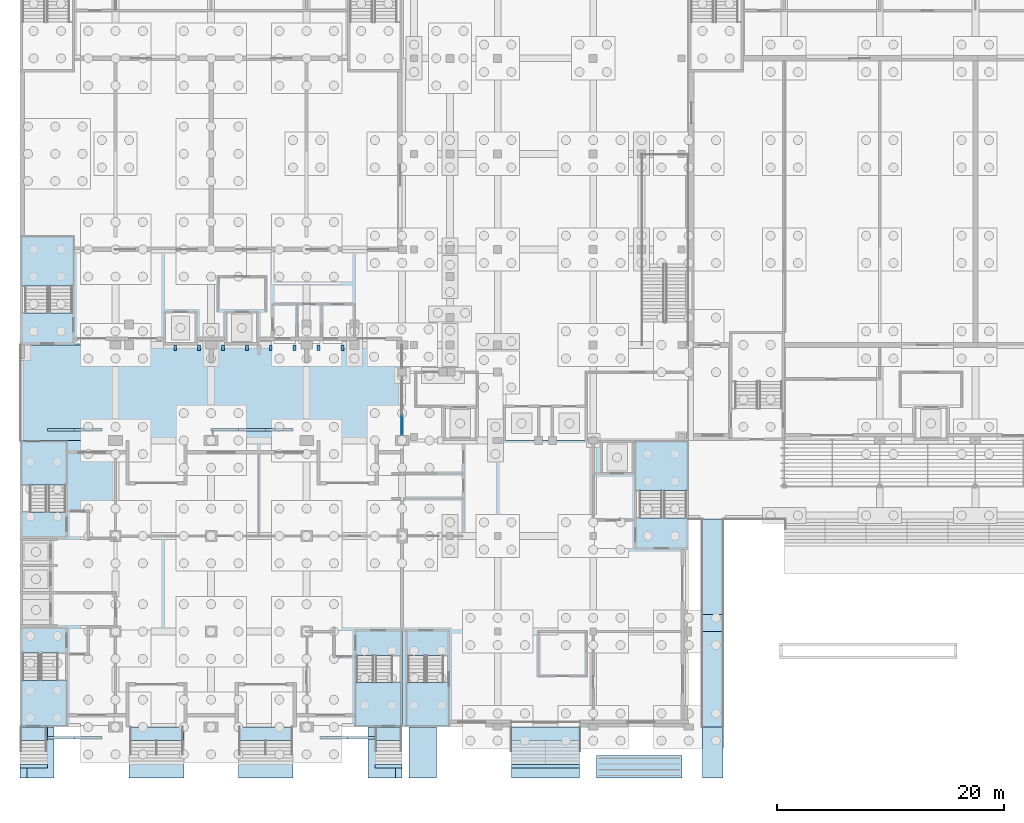
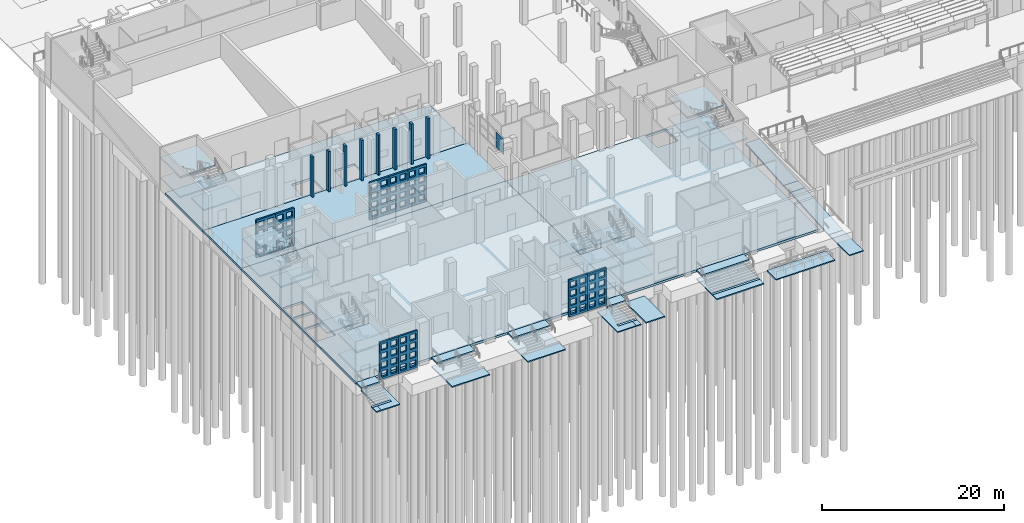
# One storey, part 35 of 129: 44 slabs, 19 plates, 7 elements without a shape of their own.
"""IFC4 building model written with IfcOpenShell, lengths in metres."""

from ifc_helpers import new_model, si_unit, direction, frame, origin, origin_2d, place, context, subcontext, project, spatial, polyline, rectangle, outline, extrude, material, layer, layer_set, type_object, element, aggregate, save


model = new_model("IFC4")

# Units and contexts
model_context = context("Model", 3, precision=1e-05, world=origin(), true_north=direction((0.0, 1.0)))
body_context = subcontext(model_context, "Body", "Model", "MODEL_VIEW")
ifc_project = project(units=[si_unit("LENGTHUNIT", "METRE"), si_unit("AREAUNIT", "SQUARE_METRE"), si_unit("VOLUMEUNIT", "CUBIC_METRE"), si_unit("PLANEANGLEUNIT", "RADIAN"), si_unit("MASSUNIT", "GRAM", prefix="KILO")], contexts=[model_context])

# Site, building, storey
site_placement = place(None, origin())
site = spatial("IfcSite", under=ifc_project, at=site_placement, CompositionType="ELEMENT")
building_placement = place(site_placement, origin())
building = spatial("IfcBuilding", under=site, at=building_placement, Name="Kiln Court Media Centre", CompositionType="ELEMENT")
storey_placement = place(building_placement, origin())
storey = spatial("IfcBuildingStorey", under=building, at=storey_placement, Name="L00", CompositionType="ELEMENT", Elevation=0.0)

# Slabs
ifc_material_1 = material(Name="Concrete C30/37", Category="concrete")
ifc_layer_1 = layer(ifc_material_1, 0.199951171875)
ifc_layer_set_1 = layer_set([ifc_layer_1], Name="Concrete C30/37 entrance landing 200")
slab_type_1 = type_object("IfcSlabType", Name="Concrete C30/37 entrance landing 200", PredefinedType="LANDING", material=ifc_layer_set_1)
slab_1_placement = place(storey_placement, frame((0.0, 0.0, -0.199951171875)))
element("IfcSlab", 1, at=slab_1_placement, inside=storey, type_object=slab_type_1, Name="EN-01 street porch landing", PredefinedType="LANDING", context=body_context, shape_type="SweptSolid", body=[
    extrude(outline(polyline([(9.60009765625, -1.199951171875), (14.39990234375, -1.199951171875), (14.39990234375, 0.0), (9.60009765625, 0.0), (9.60009765625, -1.199951171875)])), origin(), (0.0, 0.0, 1.0), 0.199951171875),
])
slab_2_placement = place(storey_placement, frame((0.0, 0.0, -0.199951171875)))
element("IfcSlab", 2, at=slab_2_placement, inside=storey, type_object=slab_type_1, Name="EN-02 street porch landing", PredefinedType="LANDING", context=body_context, shape_type="SweptSolid", body=[
    extrude(outline(polyline([(19.199951171875, -1.199951171875), (24.0, -1.199951171875), (24.0, 0.0), (19.199951171875, 0.0), (19.199951171875, -1.199951171875)])), origin(), (0.0, 0.0, 1.0), 0.199951171875),
])
ifc_material_2 = material(Name="Concrete C30/37", Category="concrete")
ifc_layer_2 = layer(ifc_material_2, 0.14990234375)
ifc_layer_set_2 = layer_set([ifc_layer_2], Name="Concrete C30/37 paving slab 150")
slab_type_2 = type_object("IfcSlabType", Name="Concrete C30/37 paving slab 150", PredefinedType="BASESLAB", material=ifc_layer_set_2)
slab_3_placement = place(storey_placement, frame((0.0, 0.0, -1.35009765625)))
element("IfcSlab", 3, at=slab_3_placement, inside=storey, type_object=slab_type_2, Name="Paving on grade 1", PredefinedType="BASESLAB", context=body_context, shape_type="SweptSolid", body=[
    extrude(outline(polyline([(0.60009765625, -3.300048828125), (2.39990234375, -3.300048828125), (2.39990234375, -3.60009765625), (0.60009765625, -3.60009765625), (0.60009765625, -4.5), (3.0, -4.5), (3.0, 0.0), (0.60009765625, 0.0), (0.60009765625, -3.300048828125)])), origin(), (0.0, 0.0, 1.0), 0.150146484375),
])
slab_4_placement = place(storey_placement, frame((0.0, 0.0, -1.35009765625)))
element("IfcSlab", 4, at=slab_4_placement, inside=storey, type_object=slab_type_2, Name="Paving on grade 2", PredefinedType="BASESLAB", context=body_context, shape_type="SweptSolid", body=[
    extrude(outline(polyline([(9.60009765625, -4.5), (14.39990234375, -4.5), (14.39990234375, 0.0), (9.60009765625, 0.0), (9.60009765625, -4.5)])), origin(), (0.0, 0.0, 1.0), 0.150146484375),
])
slab_5_placement = place(storey_placement, frame((0.0, 0.0, -1.35009765625)))
element("IfcSlab", 5, at=slab_5_placement, inside=storey, type_object=slab_type_2, Name="Paving on grade 3", PredefinedType="BASESLAB", context=body_context, shape_type="SweptSolid", body=[
    extrude(outline(polyline([(19.199951171875, -4.5), (24.0, -4.5), (24.0, 0.0), (19.199951171875, 0.0), (19.199951171875, -4.5)])), origin(), (0.0, 0.0, 1.0), 0.150146484375),
])
slab_6_placement = place(storey_placement, frame((0.0, 0.0, -1.35009765625)))
element("IfcSlab", 6, at=slab_6_placement, inside=storey, type_object=slab_type_2, Name="Paving on grade 4", PredefinedType="BASESLAB", context=body_context, shape_type="SweptSolid", body=[
    extrude(outline(polyline([(33.0, -3.60009765625), (31.199951171875, -3.60009765625), (31.199951171875, -3.300048828125), (33.0, -3.300048828125), (33.0, 0.0), (30.60009765625, 0.0), (30.60009765625, -4.5), (33.0, -4.5), (33.0, -3.60009765625)])), origin(), (0.0, 0.0, 1.0), 0.150146484375),
])
slab_7_placement = place(storey_placement, frame((0.0, 0.0, -1.35009765625)))
element("IfcSlab", 7, at=slab_7_placement, inside=storey, type_object=slab_type_2, Name="Paving on grade 5", PredefinedType="BASESLAB", context=body_context, shape_type="SweptSolid", body=[
    extrude(outline(polyline([(34.199951171875, -4.5), (36.60009765625, -4.5), (36.60009765625, 0.0), (34.199951171875, 0.0), (34.199951171875, -4.5)])), origin(), (0.0, 0.0, 1.0), 0.150146484375),
])
slab_8_placement = place(storey_placement, frame((0.0, 0.0, -1.35009765625)))
element("IfcSlab", 8, at=slab_8_placement, inside=storey, type_object=slab_type_2, Name="Paving on grade 6", PredefinedType="BASESLAB", context=body_context, shape_type="SweptSolid", body=[
    extrude(outline(polyline([(49.199951171875, -3.60009765625), (43.199951171875, -3.60009765625), (43.199951171875, -4.5), (49.199951171875, -4.5), (49.199951171875, -3.60009765625)])), origin(), (0.0, 0.0, 1.0), 0.150146484375),
])
slab_9_placement = place(storey_placement, frame((0.0, 0.0, -1.35009765625)))
element("IfcSlab", 9, at=slab_9_placement, inside=storey, type_object=slab_type_2, Name="Paving on grade 7", PredefinedType="BASESLAB", context=body_context, shape_type="SweptSolid", body=[
    extrude(outline(polyline([(50.699951171875, -4.5), (58.199951171875, -4.5), (58.199951171875, -2.5), (50.699951171875, -2.5), (50.699951171875, -4.5)])), origin(), (0.0, 0.0, 1.0), 0.150146484375),
])
slab_10_placement = place(storey_placement, frame((0.0, 0.0, -1.35009765625)))
element("IfcSlab", 10, at=slab_10_placement, inside=storey, type_object=slab_type_2, Name="Paving on grade 8", PredefinedType="BASESLAB", context=body_context, shape_type="SweptSolid", body=[
    extrude(outline(polyline([(61.800048828125, 0.0), (60.0, 0.0), (60.0, -4.5), (61.800048828125, -4.5), (61.800048828125, 0.0)])), origin(), (0.0, 0.0, 1.0), 0.150146484375),
])
slab_11_placement = place(storey_placement, frame((0.0, 0.0, -1.35009765625)))
element("IfcSlab", 11, at=slab_11_placement, inside=storey, type_object=slab_type_2, Name="Porch paving at the foot of the steps", PredefinedType="BASESLAB", context=body_context, shape_type="SweptSolid", body=[
    extrude(outline(polyline([(0.60009765625, -4.5), (0.60009765625, -3.60009765625), (0.0, -3.60009765625), (0.0, -4.5), (0.60009765625, -4.5)])), origin(), (0.0, 0.0, 1.0), 0.150146484375),
])
slab_12_placement = place(storey_placement, frame((0.0, 0.0, -1.35009765625)))
element("IfcSlab", 12, at=slab_12_placement, inside=storey, type_object=slab_type_2, Name="Porch paving at the foot of the steps", PredefinedType="BASESLAB", context=body_context, shape_type="SweptSolid", body=[
    extrude(outline(polyline([(33.0, -4.5), (33.60009765625, -4.5), (33.60009765625, -3.60009765625), (33.0, -3.60009765625), (33.0, -4.5)])), origin(), (0.0, 0.0, 1.0), 0.150146484375),
])
slab_13_placement = place(storey_placement, frame((0.0, 0.0, -1.35009765625)))
element("IfcSlab", 13, at=slab_13_placement, inside=storey, type_object=slab_type_2, Name="Paving on grade 6", PredefinedType="BASESLAB", context=body_context, shape_type="SweptSolid", body=[
    extrude(outline(polyline([(43.199951171875, -3.300048828125), (49.199951171875, -3.300048828125), (49.199951171875, 0.0), (43.199951171875, 0.0), (43.199951171875, -3.300048828125)])), origin(), (0.0, 0.0, 1.0), 0.150146484375),
])
ifc_material_3 = material(Name="Concrete C30/37", Category="concrete")
ifc_layer_3 = layer(ifc_material_3, 0.300048828125)
ifc_layer_set_3 = layer_set([ifc_layer_3], Name="Concrete C30/37 plinth slab 300")
slab_type_3 = type_object("IfcSlabType", Name="Concrete C30/37 plinth slab 300", PredefinedType="BASESLAB", material=ifc_layer_set_3)
slab_14_placement = place(storey_placement, frame((0.0, 0.0, -0.300048828125)))
element("IfcSlab", 14, at=slab_14_placement, inside=storey, type_object=slab_type_3, Name="L00-SL-1000", PredefinedType="BASESLAB", context=body_context, shape_type="SweptSolid", body=[
    extrude(outline(polyline([(0.0, 0.0), (0.0, 25.199951171875), (33.60009765625, 25.199951171875), (33.60009765625, 0.0), (0.0, 0.0)]), holes=[polyline([(0.199951171875, 9.0), (2.60009765625, 9.0), (2.60009765625, 11.699951171875), (0.199951171875, 11.699951171875), (0.199951171875, 9.0)]), polyline([(0.199951171875, 11.89990234375), (2.60009765625, 11.89990234375), (2.60009765625, 14.10009765625), (0.199951171875, 14.10009765625), (0.199951171875, 11.89990234375)]), polyline([(0.199951171875, 14.300048828125), (2.60009765625, 14.300048828125), (2.60009765625, 16.39990234375), (0.199951171875, 16.39990234375), (0.199951171875, 14.300048828125)])]), origin(), (0.0, 0.0, 1.0), 0.300048828125),
])
slab_15_placement = place(storey_placement, frame((0.0, 0.0, -0.300048828125)))
element("IfcSlab", 15, at=slab_15_placement, inside=storey, type_object=slab_type_3, Name="L00-SL-1001", PredefinedType="BASESLAB", context=body_context, shape_type="SweptSolid", body=[
    extrude(outline(polyline([(33.60009765625, 0.0), (33.60009765625, 25.199951171875), (58.800048828125, 25.199951171875), (58.800048828125, 0.0), (33.60009765625, 0.0)]), holes=[polyline([(51.199951171875, 22.39990234375), (53.800048828125, 22.39990234375), (53.800048828125, 25.0), (51.199951171875, 25.0), (51.199951171875, 22.39990234375)])]), origin(), (0.0, 0.0, 1.0), 0.300048828125),
])
slab_16_placement = place(storey_placement, frame((0.0, 0.0, -0.300048828125)))
element("IfcSlab", 16, at=slab_16_placement, inside=storey, type_object=slab_type_3, Name="L00-SL-1002", PredefinedType="BASESLAB", context=body_context, shape_type="SweptSolid", body=[
    extrude(outline(polyline([(0.0, 33.60009765625), (0.0, 42.0), (33.60009765625, 42.0), (33.60009765625, 33.60009765625), (0.0, 33.60009765625)]), holes=[polyline([(12.800048828125, 33.800048828125), (15.39990234375, 33.800048828125), (15.39990234375, 36.39990234375), (12.800048828125, 36.39990234375), (12.800048828125, 33.800048828125)]), polyline([(18.199951171875, 33.800048828125), (20.800048828125, 33.800048828125), (20.800048828125, 36.39990234375), (18.199951171875, 36.39990234375), (18.199951171875, 33.800048828125)])]), origin(), (0.0, 0.0, 1.0), 0.300048828125),
])
slab_17_placement = place(storey_placement, frame((0.0, 0.0, -0.300048828125)))
element("IfcSlab", 17, at=slab_17_placement, inside=storey, type_object=slab_type_3, Name="L00-SL-1009", PredefinedType="BASESLAB", context=body_context, shape_type="SweptSolid", body=[
    extrude(outline(polyline([(0.0, 25.199951171875), (0.0, 33.60009765625), (33.60009765625, 33.60009765625), (33.60009765625, 25.199951171875), (0.0, 25.199951171875)])), origin(), (0.0, 0.0, 1.0), 0.300048828125),
])
ifc_material_4 = material(Name="Concrete C30/37", Category="concrete")
ifc_layer_4 = layer(ifc_material_4, 0.199951171875)
ifc_layer_set_4 = layer_set([ifc_layer_4], Name="Concrete C30/37 porch landing 200")
slab_type_4 = type_object("IfcSlabType", Name="Concrete C30/37 porch landing 200", PredefinedType="LANDING", material=ifc_layer_set_4)
slab_18_placement = place(storey_placement, frame((0.0, 0.0, -0.199951171875)))
element("IfcSlab", 18, at=slab_18_placement, inside=storey, type_object=slab_type_4, Name="ST-01 street porch landing", PredefinedType="LANDING", context=body_context, shape_type="SweptSolid", body=[
    extrude(outline(polyline([(0.0, -1.199951171875), (2.39990234375, -1.199951171875), (2.39990234375, 0.0), (0.0, 0.0), (0.0, -1.199951171875)])), origin(), (0.0, 0.0, 1.0), 0.199951171875),
])
slab_19_placement = place(storey_placement, frame((0.0, 0.0, -0.199951171875)))
element("IfcSlab", 19, at=slab_19_placement, inside=storey, type_object=slab_type_4, Name="ST-03 street porch landing", PredefinedType="LANDING", context=body_context, shape_type="SweptSolid", body=[
    extrude(outline(polyline([(31.199951171875, -1.199951171875), (33.60009765625, -1.199951171875), (33.60009765625, 0.0), (31.199951171875, 0.0), (31.199951171875, -1.199951171875)])), origin(), (0.0, 0.0, 1.0), 0.199951171875),
])
slab_20_placement = place(storey_placement, frame((0.0, 0.0, -0.199951171875)))
element("IfcSlab", 20, at=slab_20_placement, inside=storey, type_object=slab_type_4, Name="EN-04 street porch landing", PredefinedType="LANDING", context=body_context, shape_type="SweptSolid", body=[
    extrude(outline(polyline([(43.199951171875, -1.199951171875), (49.199951171875, -1.199951171875), (49.199951171875, 0.0), (43.199951171875, 0.0), (43.199951171875, -1.199951171875)])), origin(), (0.0, 0.0, 1.0), 0.199951171875),
])
ifc_material_5 = material(Name="Concrete C30/37", Category="concrete")
ifc_layer_5 = layer(ifc_material_5, 0.199951171875)
ifc_layer_set_5 = layer_set([ifc_layer_5], Name="Concrete C30/37 ramp landing 1:14 200")
slab_type_5 = type_object("IfcSlabType", Name="Concrete C30/37 ramp landing 1:14 200", PredefinedType="LANDING", material=ifc_layer_set_5)
slab_21_placement = place(storey_placement, frame((0.0, 0.0, -0.800048828125)))
element("IfcSlab", 21, at=slab_21_placement, inside=storey, type_object=slab_type_5, Name="RAMP-LANDING landing", PredefinedType="LANDING", context=body_context, shape_type="SweptSolid", body=[
    extrude(outline(polyline([(60.0, 8.39990234375), (61.800048828125, 8.39990234375), (61.800048828125, 9.89990234375), (60.0, 9.89990234375), (60.0, 8.39990234375)])), origin(), (0.0, 0.0, 1.0), 0.199951171875),
])
ifc_material_6 = material(Name="Concrete C30/37", Category="concrete")
ifc_layer_6 = layer(ifc_material_6, 0.199951171875)
ifc_layer_set_6 = layer_set([ifc_layer_6], Name="Concrete C30/37 ramp slab 1:14 200")
slab_type_6 = type_object("IfcSlabType", Name="Concrete C30/37 ramp slab 1:14 200", PredefinedType="BASESLAB", material=ifc_layer_set_6)
slab_22_placement = place(storey_placement, frame((60.0, 0.0, -1.199951171875), z_axis=(0.0, -0.071230567859, 0.997459876989), x_axis=(1.0, 0.0, 0.0)))
element("IfcSlab", 22, at=slab_22_placement, inside=storey, type_object=slab_type_6, Name="RAMP-1 ramp run", PredefinedType="BASESLAB", context=body_context, shape_type="SweptSolid", body=[
    extrude(outline(polyline([(0.0, 0.0), (1.800048828125, 0.0), (1.800048828125, 8.421293465064878), (0.0, 8.421293465064878), (0.0, 0.0)])), origin(), (0.0, 0.0, -1.0), 0.199951171875),
])
slab_23_placement = place(storey_placement, frame((60.0, 9.89990234375, -0.60009765625), z_axis=(0.0, -0.071257350989, 0.997457963991), x_axis=(1.0, 0.0, 0.0)))
element("IfcSlab", 23, at=slab_23_placement, inside=storey, type_object=slab_type_6, Name="RAMP-2 ramp run", PredefinedType="BASESLAB", context=body_context, shape_type="SweptSolid", body=[
    extrude(outline(polyline([(0.0, 0.0), (1.800048828125, 0.0), (1.800048828125, 8.421554378853966), (0.0, 8.421554378853966), (0.0, 0.0)])), origin(), (0.0, 0.0, -1.0), 0.199951171875),
])
ifc_material_7 = material(Name="Concrete C30/37", Category="concrete")
ifc_layer_7 = layer(ifc_material_7, 0.14990234375)
ifc_layer_set_7 = layer_set([ifc_layer_7], Name="Concrete C30/37 step foot slab 150")
slab_type_7 = type_object("IfcSlabType", Name="Concrete C30/37 step foot slab 150", PredefinedType="BASESLAB", material=ifc_layer_set_7)
slab_24_placement = place(storey_placement, frame((0.0, 0.0, -1.35009765625)))
element("IfcSlab", 24, at=slab_24_placement, inside=storey, type_object=slab_type_7, Name="Step foot slab", PredefinedType="BASESLAB", context=body_context, shape_type="SweptSolid", body=[
    extrude(outline(polyline([(0.0, -3.60009765625), (2.39990234375, -3.60009765625), (2.39990234375, -3.300048828125), (0.0, -3.300048828125), (0.0, -3.60009765625)])), origin(), (0.0, 0.0, 1.0), 0.150146484375),
])
slab_25_placement = place(storey_placement, frame((0.0, 0.0, -1.35009765625)))
element("IfcSlab", 25, at=slab_25_placement, inside=storey, type_object=slab_type_7, Name="Step foot slab", PredefinedType="BASESLAB", context=body_context, shape_type="SweptSolid", body=[
    extrude(outline(polyline([(31.199951171875, -3.60009765625), (33.60009765625, -3.60009765625), (33.60009765625, -3.300048828125), (31.199951171875, -3.300048828125), (31.199951171875, -3.60009765625)])), origin(), (0.0, 0.0, 1.0), 0.150146484375),
])
slab_26_placement = place(storey_placement, frame((0.0, 0.0, -1.35009765625)))
element("IfcSlab", 26, at=slab_26_placement, inside=storey, type_object=slab_type_7, Name="Step foot slab", PredefinedType="BASESLAB", context=body_context, shape_type="SweptSolid", body=[
    extrude(outline(polyline([(43.199951171875, -3.60009765625), (49.199951171875, -3.60009765625), (49.199951171875, -3.300048828125), (43.199951171875, -3.300048828125), (43.199951171875, -3.60009765625)])), origin(), (0.0, 0.0, 1.0), 0.150146484375),
])

# Plates
ifc_material_8 = material(Name="Concrete C40/50", Category="concrete")
ifc_layer_8 = layer(ifc_material_8, 0.25)
ifc_layer_set_8 = layer_set([ifc_layer_8], Name="Concrete C40/50 shading fin 250")
plate_type_1 = type_object("IfcPlateType", Name="Concrete C40/50 shading fin 250", PredefinedType="SHEET", material=ifc_layer_set_8)
for number, where, z_axis, x_axis, name in (
    (27, (13.64990234375, 33.35009765625, -0.2998046875), (0.0, 0.0, 1.0), (1.0, 0.0, 0.0), "V4 S fin L00"),
    (28, (15.75, 33.35009765625, -0.2998046875), (0.0, 0.0, 1.0), (1.0, 0.0, 0.0), "V4 S fin L00"),
    (29, (17.85009765625, 33.35009765625, -0.2998046875), (0.0, 0.0, 1.0), (1.0, 0.0, 0.0), "V4 S fin L00"),
    (30, (19.949951171875, 33.35009765625, -0.2998046875), (0.0, 0.0, 1.0), (1.0, 0.0, 0.0), "V4 S fin L00"),
    (31, (22.050048828125, 33.35009765625, -0.2998046875), (0.0, 0.0, 1.0), (1.0, 0.0, 0.0), "V4 S fin L00"),
    (32, (24.14990234375, 33.35009765625, -0.2998046875), (0.0, 0.0, 1.0), (1.0, 0.0, 0.0), "V4 S fin L00"),
    (33, (26.25, 33.35009765625, -0.2998046875), (0.0, 0.0, 1.0), (1.0, 0.0, 0.0), "V4 S fin L00"),
    (34, (28.35009765625, 33.35009765625, -0.2998046875), (0.0, 0.0, 1.0), (1.0, 0.0, 0.0), "V4 S fin L00"),
):
    element("IfcPlate", number, at=place(storey_placement, frame(where, z_axis=z_axis, x_axis=x_axis)), inside=storey, type_object=plate_type_1, Name=name, PredefinedType="SHEET", context=body_context, shape_type="SweptSolid", body=[
        extrude(rectangle(XDim=0.25, YDim=0.5, at=origin_2d()), origin(), (0.0, 0.0, 1.0), 5.699951171875),
    ])

# Stair, slabs
ifc_material_9 = material(Name="Concrete C40/50", Category="concrete")
stair_type_1 = type_object("IfcStairType", Name="Concrete C40/50 dog-leg stair 1500 wide, 150 riser", PredefinedType="HALF_TURN_STAIR", material=ifc_material_9)
stair_1_placement = place(storey_placement, origin())
stair_1 = element("IfcStair", 35, at=stair_1_placement, inside=storey, type_object=stair_type_1, Name="ST-01 L00", PredefinedType="HALF_TURN_STAIR")
ifc_material_10 = material(Name="Concrete C40/50", Category="concrete")
ifc_layer_9 = layer(ifc_material_10, 0.199951171875)
ifc_layer_set_9 = layer_set([ifc_layer_9], Name="Concrete C40/50 stair landing 200")
slab_type_8 = type_object("IfcSlabType", Name="Concrete C40/50 stair landing 200", PredefinedType="LANDING", material=ifc_layer_set_9)
slab_27_placement = place(storey_placement, frame((0.0, 0.0, 1.14990234375)))
slab_27 = element("IfcSlab", 36, at=slab_27_placement, type_object=slab_type_8, Name="L00-ST-5000 landing 5000", PredefinedType="LANDING", context=body_context, shape_type="SweptSolid", body=[
    extrude(outline(polyline([(0.080078125, 4.10009765625), (0.080078125, 0.080078125), (4.1201171875, 0.080078125), (4.1201171875, 4.10009765625), (0.080078125, 4.10009765625)])), origin(), (0.0, 0.0, 1.0), 0.2001953125),
])
slab_28_placement = place(storey_placement, frame((0.0, 0.0, 2.5)))
slab_28 = element("IfcSlab", 37, at=slab_28_placement, type_object=slab_type_8, Name="L00-ST-5000 landing 5001", PredefinedType="LANDING", context=body_context, shape_type="SweptSolid", body=[
    extrude(outline(polyline([(0.080078125, 8.719970703125), (0.080078125, 6.5), (4.1201171875, 6.5), (4.1201171875, 8.719970703125), (0.080078125, 8.719970703125)])), origin(), (0.0, 0.0, 1.0), 0.199951171875),
])
slab_29_placement = place(storey_placement, frame((0.0, 0.0, 3.85009765625)))
slab_29 = element("IfcSlab", 38, at=slab_29_placement, type_object=slab_type_8, Name="L00-ST-5000 landing 5002", PredefinedType="LANDING", context=body_context, shape_type="SweptSolid", body=[
    extrude(outline(polyline([(0.080078125, 4.10009765625), (0.080078125, 0.080078125), (4.1201171875, 0.080078125), (4.1201171875, 4.10009765625), (0.080078125, 4.10009765625)])), origin(), (0.0, 0.0, 1.0), 0.199951171875),
])
aggregate(stair_1, [slab_27, slab_28, slab_29])

stair_2_placement = place(storey_placement, origin())
stair_2 = element("IfcStair", 39, at=stair_2_placement, inside=storey, type_object=stair_type_1, Name="ST-02 L00", PredefinedType="HALF_TURN_STAIR")
slab_30_placement = place(storey_placement, frame((0.0, 0.0, 1.14990234375)))
slab_30 = element("IfcSlab", 40, at=slab_30_placement, type_object=slab_type_8, Name="L00-ST-5001 landing 5003", PredefinedType="LANDING", context=body_context, shape_type="SweptSolid", body=[
    extrude(outline(polyline([(4.1201171875, 21.300048828125), (4.1201171875, 25.1201171875), (0.080078125, 25.1201171875), (0.080078125, 21.300048828125), (4.1201171875, 21.300048828125)])), origin(), (0.0, 0.0, 1.0), 0.2001953125),
])
slab_31_placement = place(storey_placement, frame((0.0, 0.0, 2.5)))
slab_31 = element("IfcSlab", 41, at=slab_31_placement, type_object=slab_type_8, Name="L00-ST-5001 landing 5004", PredefinedType="LANDING", context=body_context, shape_type="SweptSolid", body=[
    extrude(outline(polyline([(4.1201171875, 16.679931640625), (4.1201171875, 18.89990234375), (0.080078125, 18.89990234375), (0.080078125, 16.679931640625), (4.1201171875, 16.679931640625)])), origin(), (0.0, 0.0, 1.0), 0.199951171875),
])
slab_32_placement = place(storey_placement, frame((0.0, 0.0, 3.85009765625)))
slab_32 = element("IfcSlab", 42, at=slab_32_placement, type_object=slab_type_8, Name="L00-ST-5001 landing 5005", PredefinedType="LANDING", context=body_context, shape_type="SweptSolid", body=[
    extrude(outline(polyline([(4.1201171875, 21.300048828125), (4.1201171875, 25.1201171875), (0.080078125, 25.1201171875), (0.080078125, 21.300048828125), (4.1201171875, 21.300048828125)])), origin(), (0.0, 0.0, 1.0), 0.199951171875),
])
aggregate(stair_2, [slab_30, slab_31, slab_32])

stair_3_placement = place(storey_placement, origin())
stair_3 = element("IfcStair", 43, at=stair_3_placement, inside=storey, type_object=stair_type_1, Name="ST-03 L00", PredefinedType="HALF_TURN_STAIR")
slab_33_placement = place(storey_placement, frame((0.0, 0.0, 1.14990234375)))
slab_33 = element("IfcSlab", 44, at=slab_33_placement, type_object=slab_type_8, Name="L00-ST-5002 landing 5006", PredefinedType="LANDING", context=body_context, shape_type="SweptSolid", body=[
    extrude(outline(polyline([(29.47998046875, 3.89990234375), (29.47998046875, 0.080078125), (33.52001953125, 0.080078125), (33.52001953125, 3.89990234375), (29.47998046875, 3.89990234375)])), origin(), (0.0, 0.0, 1.0), 0.2001953125),
])
slab_34_placement = place(storey_placement, frame((0.0, 0.0, 2.5)))
slab_34 = element("IfcSlab", 45, at=slab_34_placement, type_object=slab_type_8, Name="L00-ST-5002 landing 5007", PredefinedType="LANDING", context=body_context, shape_type="SweptSolid", body=[
    extrude(outline(polyline([(29.47998046875, 8.52001953125), (29.47998046875, 6.300048828125), (33.52001953125, 6.300048828125), (33.52001953125, 8.52001953125), (29.47998046875, 8.52001953125)])), origin(), (0.0, 0.0, 1.0), 0.199951171875),
])
slab_35_placement = place(storey_placement, frame((0.0, 0.0, 3.85009765625)))
slab_35 = element("IfcSlab", 46, at=slab_35_placement, type_object=slab_type_8, Name="L00-ST-5002 landing 5008", PredefinedType="LANDING", context=body_context, shape_type="SweptSolid", body=[
    extrude(outline(polyline([(29.47998046875, 3.89990234375), (29.47998046875, 0.080078125), (33.52001953125, 0.080078125), (33.52001953125, 3.89990234375), (29.47998046875, 3.89990234375)])), origin(), (0.0, 0.0, 1.0), 0.199951171875),
])
aggregate(stair_3, [slab_33, slab_34, slab_35])

stair_4_placement = place(storey_placement, origin())
stair_4 = element("IfcStair", 47, at=stair_4_placement, inside=storey, type_object=stair_type_1, Name="ST-04 L00", PredefinedType="HALF_TURN_STAIR")
slab_36_placement = place(storey_placement, frame((0.0, 0.0, 1.14990234375)))
slab_36 = element("IfcSlab", 48, at=slab_36_placement, type_object=slab_type_8, Name="L00-ST-5003 landing 5009", PredefinedType="LANDING", context=body_context, shape_type="SweptSolid", body=[
    extrude(outline(polyline([(33.97998046875, 3.89990234375), (33.97998046875, 0.080078125), (37.719970703125, 0.080078125), (37.719970703125, 3.89990234375), (33.97998046875, 3.89990234375)])), origin(), (0.0, 0.0, 1.0), 0.2001953125),
])
slab_37_placement = place(storey_placement, frame((0.0, 0.0, 2.5)))
slab_37 = element("IfcSlab", 49, at=slab_37_placement, type_object=slab_type_8, Name="L00-ST-5003 landing 5010", PredefinedType="LANDING", context=body_context, shape_type="SweptSolid", body=[
    extrude(outline(polyline([(33.97998046875, 8.52001953125), (33.97998046875, 6.300048828125), (37.719970703125, 6.300048828125), (37.719970703125, 8.52001953125), (33.97998046875, 8.52001953125)])), origin(), (0.0, 0.0, 1.0), 0.199951171875),
])
slab_38_placement = place(storey_placement, frame((0.0, 0.0, 3.85009765625)))
slab_38 = element("IfcSlab", 50, at=slab_38_placement, type_object=slab_type_8, Name="L00-ST-5003 landing 5011", PredefinedType="LANDING", context=body_context, shape_type="SweptSolid", body=[
    extrude(outline(polyline([(33.97998046875, 3.89990234375), (33.97998046875, 0.080078125), (37.719970703125, 0.080078125), (37.719970703125, 3.89990234375), (33.97998046875, 3.89990234375)])), origin(), (0.0, 0.0, 1.0), 0.199951171875),
])
aggregate(stair_4, [slab_36, slab_37, slab_38])

ifc_material_11 = material(Name="Concrete C40/50", Category="concrete")
stair_type_2 = type_object("IfcStairType", Name="Concrete C40/50 dog-leg stair 2000 wide, 150 riser", PredefinedType="HALF_TURN_STAIR", material=ifc_material_11)
stair_5_placement = place(storey_placement, origin())
stair_5 = element("IfcStair", 51, at=stair_5_placement, inside=storey, type_object=stair_type_2, Name="ST-05 L00", PredefinedType="HALF_TURN_STAIR")
slab_39_placement = place(storey_placement, frame((0.0, 0.0, 1.14990234375)))
slab_39 = element("IfcSlab", 52, at=slab_39_placement, type_object=slab_type_8, Name="L00-ST-5004 landing 5012", PredefinedType="LANDING", context=body_context, shape_type="SweptSolid", body=[
    extrude(outline(polyline([(58.719970703125, 20.800048828125), (58.719970703125, 25.1201171875), (54.080078125, 25.1201171875), (54.080078125, 20.800048828125), (58.719970703125, 20.800048828125)])), origin(), (0.0, 0.0, 1.0), 0.2001953125),
])
slab_40_placement = place(storey_placement, frame((0.0, 0.0, 2.5)))
slab_40 = element("IfcSlab", 53, at=slab_40_placement, type_object=slab_type_8, Name="L00-ST-5004 landing 5013", PredefinedType="LANDING", context=body_context, shape_type="SweptSolid", body=[
    extrude(outline(polyline([(58.719970703125, 15.679931640625), (58.719970703125, 18.39990234375), (54.080078125, 18.39990234375), (54.080078125, 15.679931640625), (58.719970703125, 15.679931640625)])), origin(), (0.0, 0.0, 1.0), 0.199951171875),
])
slab_41_placement = place(storey_placement, frame((0.0, 0.0, 3.85009765625)))
slab_41 = element("IfcSlab", 54, at=slab_41_placement, type_object=slab_type_8, Name="L00-ST-5004 landing 5014", PredefinedType="LANDING", context=body_context, shape_type="SweptSolid", body=[
    extrude(outline(polyline([(58.719970703125, 20.800048828125), (58.719970703125, 25.1201171875), (54.080078125, 25.1201171875), (54.080078125, 20.800048828125), (58.719970703125, 20.800048828125)])), origin(), (0.0, 0.0, 1.0), 0.199951171875),
])
aggregate(stair_5, [slab_39, slab_40, slab_41])

stair_6_placement = place(storey_placement, origin())
stair_6 = element("IfcStair", 55, at=stair_6_placement, inside=storey, type_object=stair_type_2, Name="ST-06 L00", PredefinedType="HALF_TURN_STAIR")
slab_42_placement = place(storey_placement, frame((0.0, 0.0, 1.14990234375)))
slab_42 = element("IfcSlab", 56, at=slab_42_placement, type_object=slab_type_8, Name="L00-ST-5005 landing 5015", PredefinedType="LANDING", context=body_context, shape_type="SweptSolid", body=[
    extrude(outline(polyline([(4.719970703125, 38.800048828125), (4.719970703125, 43.1201171875), (0.080078125, 43.1201171875), (0.080078125, 38.800048828125), (4.719970703125, 38.800048828125)])), origin(), (0.0, 0.0, 1.0), 0.2001953125),
])
slab_43_placement = place(storey_placement, frame((0.0, 0.0, 2.5)))
slab_43 = element("IfcSlab", 57, at=slab_43_placement, type_object=slab_type_8, Name="L00-ST-5005 landing 5016", PredefinedType="LANDING", context=body_context, shape_type="SweptSolid", body=[
    extrude(outline(polyline([(4.719970703125, 33.679931640625), (4.719970703125, 36.39990234375), (0.080078125, 36.39990234375), (0.080078125, 33.679931640625), (4.719970703125, 33.679931640625)])), origin(), (0.0, 0.0, 1.0), 0.199951171875),
])
slab_44_placement = place(storey_placement, frame((0.0, 0.0, 3.85009765625)))
slab_44 = element("IfcSlab", 58, at=slab_44_placement, type_object=slab_type_8, Name="L00-ST-5005 landing 5017", PredefinedType="LANDING", context=body_context, shape_type="SweptSolid", body=[
    extrude(outline(polyline([(4.719970703125, 38.800048828125), (4.719970703125, 43.1201171875), (0.080078125, 43.1201171875), (0.080078125, 38.800048828125), (4.719970703125, 38.800048828125)])), origin(), (0.0, 0.0, 1.0), 0.199951171875),
])
aggregate(stair_6, [slab_42, slab_43, slab_44])

# Curtain wall, plates
ifc_material_12 = material(Name="Aluminium 6063-T6", Category="aluminium")
ifc_layer_10 = layer(ifc_material_12, 0.1201171875)
ifc_layer_set_10 = layer_set([ifc_layer_10], Name="Aluminium stick curtain wall, gallery")
curtain_wall_type = type_object("IfcCurtainWallType", Name="Aluminium stick curtain wall, gallery", PredefinedType="USERDEFINED", material=ifc_layer_set_10)
curtain_wall_placement = place(storey_placement, origin())
curtain_wall = element("IfcCurtainWall", 59, at=curtain_wall_placement, inside=storey, type_object=curtain_wall_type, Name="Foyer west glazing L00", ObjectType="STICK CURTAIN WALL", PredefinedType="USERDEFINED")
ifc_material_13 = material(Name="Laminated low-E glazing", Category="glass")
ifc_layer_11 = layer(ifc_material_13, 0.033935546875)
ifc_layer_set_11 = layer_set([ifc_layer_11], Name="Laminated low-E glazed panel 34")
plate_type_2 = type_object("IfcPlateType", Name="Laminated low-E glazed panel 34", PredefinedType="CURTAIN_PANEL", material=ifc_layer_set_11)
plate_1_placement = place(storey_placement, frame((33.60009765625, 26.53173828125, 3.14013671875), z_axis=(0.0, 0.0, 1.0), x_axis=(0.0, 1.0, 0.0)))
plate_1 = element("IfcPlate", 60, at=plate_1_placement, type_object=plate_type_2, Name="CW0-64 panel 1.1", PredefinedType="CURTAIN_PANEL", context=body_context, shape_type="SweptSolid", body=[
    extrude(rectangle(XDim=1.6435546875, YDim=0.033935546875, at=origin_2d()), origin(), (0.0, 0.0, 1.0), 0.989990234375),
])
plate_2_placement = place(storey_placement, frame((33.60009765625, 26.53173828125, 4.27001953125), z_axis=(0.0, 0.0, 1.0), x_axis=(0.0, 1.0, 0.0)))
plate_2 = element("IfcPlate", 61, at=plate_2_placement, type_object=plate_type_2, Name="CW0-64 panel 1.2", PredefinedType="CURTAIN_PANEL", context=body_context, shape_type="SweptSolid", body=[
    extrude(rectangle(XDim=1.6435546875, YDim=0.033935546875, at=origin_2d()), origin(), (0.0, 0.0, 1.0), 0.989990234375),
])
aggregate(curtain_wall, [plate_1, plate_2])

# Plates
ifc_material_14 = material(Name="Brick masonry perforated screen", Category="masonry")
ifc_layer_12 = layer(ifc_material_14, 0.215087890625)
ifc_layer_set_12 = layer_set([ifc_layer_12], Name="Perforated brick screen panel 215")
plate_type_3 = type_object("IfcPlateType", Name="Perforated brick screen panel 215", PredefinedType="SHEET", material=ifc_layer_set_12)
for number, where, z_axis, x_axis, name in (
    (62, (3.60009765625, -0.8349609375, 0.10009765625), (0.0, -1.0, 0.0), (1.0, 0.0, 0.0), "SCREEN panel SCR-S-02"),
    (63, (6.0, -0.8349609375, 0.10009765625), (0.0, -1.0, 0.0), (1.0, 0.0, 0.0), "SCREEN panel SCR-S-03"),
    (64, (27.60009765625, -0.8349609375, 0.10009765625), (0.0, -1.0, 0.0), (1.0, 0.0, 0.0), "SCREEN panel SCR-S-12"),
    (65, (30.0, -0.8349609375, 0.10009765625), (0.0, -1.0, 0.0), (1.0, 0.0, 0.0), "SCREEN panel SCR-S-13"),
    (66, (3.60009765625, 26.25, 0.10009765625), (0.0, -1.0, 0.0), (1.0, 0.0, 0.0), "SCREEN panel SCR-N-02"),
    (67, (6.0, 26.25, 0.10009765625), (0.0, -1.0, 0.0), (1.0, 0.0, 0.0), "SCREEN panel SCR-N-03"),
    (68, (18.0, 26.25, 0.10009765625), (0.0, -1.0, 0.0), (1.0, 0.0, 0.0), "SCREEN panel SCR-N-08"),
    (69, (20.39990234375, 26.25, 0.10009765625), (0.0, -1.0, 0.0), (1.0, 0.0, 0.0), "SCREEN panel SCR-N-09"),
    (70, (22.800048828125, 26.25, 0.10009765625), (0.0, -1.0, 0.0), (1.0, 0.0, 0.0), "SCREEN panel SCR-N-10"),
):
    element("IfcPlate", number, at=place(storey_placement, frame(where, z_axis=z_axis, x_axis=x_axis)), inside=storey, type_object=plate_type_3, Name=name, PredefinedType="SHEET", context=body_context, shape_type="SweptSolid", body=[
        extrude(outline(polyline([(-1.199951171875, 0.0), (1.199951171875, 0.0), (1.199951171875, 5.0), (-1.199951171875, 5.0), (-1.199951171875, 0.0)]), holes=[polyline([(-0.989990234375, 0.296142578125), (-0.2099609375, 0.296142578125), (-0.2099609375, 1.103759765625), (-0.989990234375, 1.103759765625), (-0.989990234375, 0.296142578125)]), polyline([(-0.989990234375, 1.49609375), (-0.2099609375, 1.49609375), (-0.2099609375, 2.3037109375), (-0.989990234375, 2.3037109375), (-0.989990234375, 1.49609375)]), polyline([(-0.989990234375, 2.6962890625), (-0.2099609375, 2.6962890625), (-0.2099609375, 3.50390625), (-0.989990234375, 3.50390625), (-0.989990234375, 2.6962890625)]), polyline([(-0.989990234375, 3.896240234375), (-0.2099609375, 3.896240234375), (-0.2099609375, 4.703857421875), (-0.989990234375, 4.703857421875), (-0.989990234375, 3.896240234375)]), polyline([(0.2099609375, 0.296142578125), (0.989990234375, 0.296142578125), (0.989990234375, 1.103759765625), (0.2099609375, 1.103759765625), (0.2099609375, 0.296142578125)]), polyline([(0.2099609375, 1.49609375), (0.989990234375, 1.49609375), (0.989990234375, 2.3037109375), (0.2099609375, 2.3037109375), (0.2099609375, 1.49609375)]), polyline([(0.2099609375, 2.6962890625), (0.989990234375, 2.6962890625), (0.989990234375, 3.50390625), (0.2099609375, 3.50390625), (0.2099609375, 2.6962890625)]), polyline([(0.2099609375, 3.896240234375), (0.989990234375, 3.896240234375), (0.989990234375, 4.703857421875), (0.2099609375, 4.703857421875), (0.2099609375, 3.896240234375)])]), origin(), (0.0, 0.0, 1.0), 0.215087890625),
    ])

save(model, "model.ifc")
